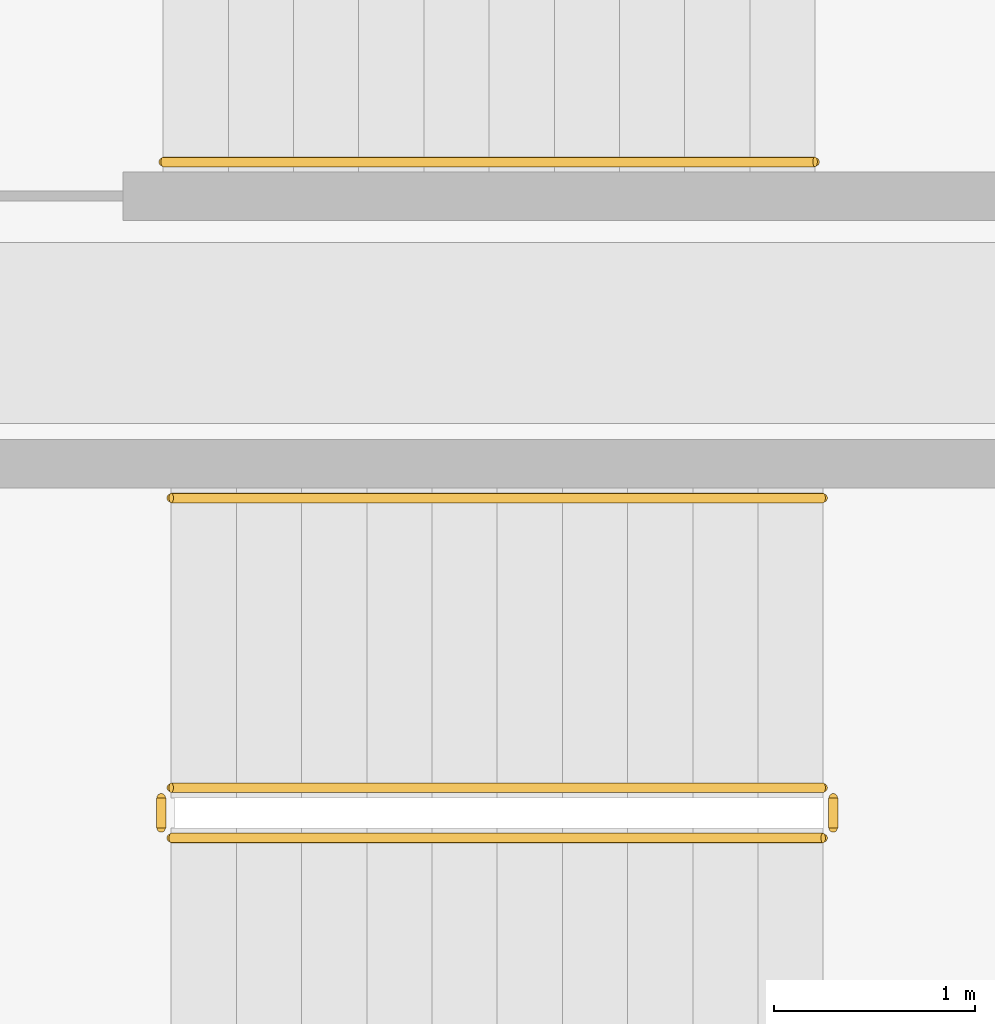
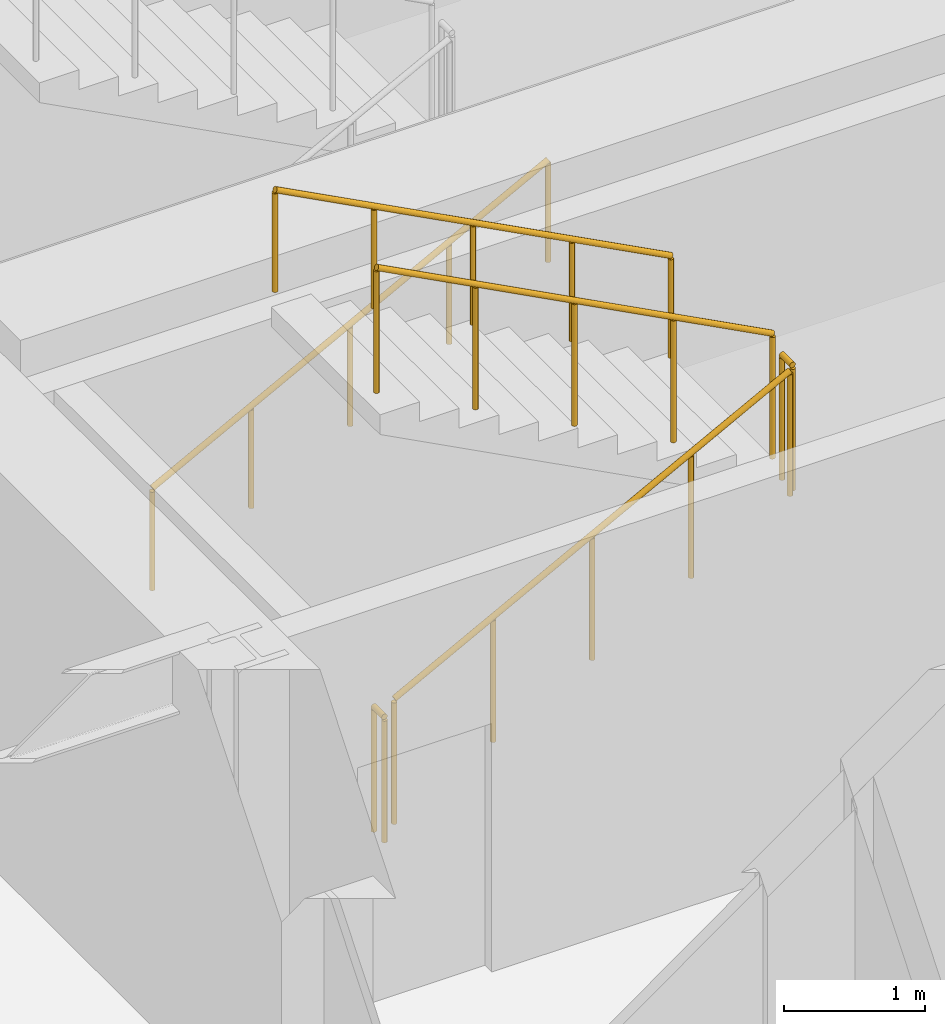
# One storey, part 11 of 13: 6 railings.
"""IFC4 building model written with IfcOpenShell, lengths in metres."""

from ifc_helpers import new_model, si_unit, direction, frame, origin, origin_2d, place, context, subcontext, project, spatial, circle, extrude, material, type_object, element, save


model = new_model("IFC4")

# Units and contexts
model_context = context("Model", 3, precision=1e-05, world=origin(), true_north=direction((0.0, 1.0)))
body_context = subcontext(model_context, "Body", "Model", "MODEL_VIEW")
ifc_project = project(units=[si_unit("LENGTHUNIT", "METRE"), si_unit("AREAUNIT", "SQUARE_METRE"), si_unit("VOLUMEUNIT", "CUBIC_METRE"), si_unit("PLANEANGLEUNIT", "RADIAN"), si_unit("MASSUNIT", "GRAM", prefix="KILO")], contexts=[model_context])

# Site, building, storey
site_placement = place(None, origin())
site = spatial("IfcSite", under=ifc_project, at=site_placement, CompositionType="ELEMENT")
building_placement = place(site_placement, origin())
building = spatial("IfcBuilding", under=site, at=building_placement, Name="Kolvaren Arena Tower", CompositionType="ELEMENT")
storey_placement = place(building_placement, frame((0.0, 0.0, 145.75)))
storey = spatial("IfcBuildingStorey", under=building, at=storey_placement, Name="L34", CompositionType="ELEMENT", Elevation=145.75)

# Railings
ifc_material_1 = material(Name="Painted galvanized steel", Category="steel")
railing_type_1 = type_object("IfcRailingType", Name="GUARD-ST-110", PredefinedType="GUARDRAIL", material=ifc_material_1)
railing_1_placement = place(storey_placement, frame((52.719970703125, 31.639892578125, 0.17041015625)))
element("IfcRailing", 1, at=railing_1_placement, inside=storey, type_object=railing_type_1, Name="L34 ST-E1 stair guard 1", PredefinedType="GUARDRAIL", context=body_context, shape_type="SweptSolid", body=[
    extrude(circle(Radius=0.02392578125, at=origin_2d()), frame((0.0, 0.0, 1.076171875), z_axis=(0.884993431791, 0.0, 0.465603506952), x_axis=(0.0, 1.0, 0.0)), (0.0, 0.0, 1.0), 3.6611328125),
    extrude(circle(Radius=0.02099609375, at=origin_2d()), origin(), (0.0, 0.0, 1.0), 1.052001953125),
    extrude(circle(Radius=0.02099609375, at=origin_2d()), frame((0.81005859375, 0.0, 0.42626953125)), (0.0, 0.0, 1.0), 1.052001953125),
    extrude(circle(Radius=0.02099609375, at=origin_2d()), frame((1.6201171875, 0.0, 0.852294921875)), (0.0, 0.0, 1.0), 1.052001953125),
    extrude(circle(Radius=0.02099609375, at=origin_2d()), frame((2.429931640625, 0.0, 1.2783203125)), (0.0, 0.0, 1.0), 1.052001953125),
    extrude(circle(Radius=0.02099609375, at=origin_2d()), frame((3.239990234375, 0.0, 1.70458984375)), (0.0, 0.0, 1.0), 1.052001953125),
])
railing_2_placement = place(storey_placement, frame((56.010009765625, 31.68994140625, 1.875)))
element("IfcRailing", 2, at=railing_2_placement, inside=storey, type_object=railing_type_1, Name="L34 ST-E1 stair guard 2", PredefinedType="GUARDRAIL", context=body_context, shape_type="SweptSolid", body=[
    extrude(circle(Radius=0.02392578125, at=origin_2d()), frame((0.0, 0.0, 1.076171875), z_axis=(0.0, 1.0, 0.0), x_axis=(-1.0, 0.0, 0.0)), (0.0, 0.0, 1.0), 0.150146484375),
    extrude(circle(Radius=0.02099609375, at=origin_2d()), origin(), (0.0, 0.0, 1.0), 1.052001953125),
    extrude(circle(Radius=0.02099609375, at=origin_2d()), frame((0.0, 0.150146484375, 0.0)), (0.0, 0.0, 1.0), 1.052001953125),
])
railing_3_placement = place(storey_placement, frame((55.9599609375, 31.889892578125, 2.04541015625)))
element("IfcRailing", 3, at=railing_3_placement, inside=storey, type_object=railing_type_1, Name="L34 ST-E1 stair guard 3", PredefinedType="GUARDRAIL", context=body_context, shape_type="SweptSolid", body=[
    extrude(circle(Radius=0.02392578125, at=origin_2d()), frame((0.0, 0.0, 1.076171875), z_axis=(-0.884993431791, 0.0, 0.465603506952), x_axis=(0.0, -1.0, 0.0)), (0.0, 0.0, 1.0), 3.6611328125),
    extrude(circle(Radius=0.02099609375, at=origin_2d()), origin(), (0.0, 0.0, 1.0), 1.052001953125),
    extrude(circle(Radius=0.02099609375, at=origin_2d()), frame((-0.81005859375, 0.0, 0.42626953125)), (0.0, 0.0, 1.0), 1.052001953125),
    extrude(circle(Radius=0.02099609375, at=origin_2d()), frame((-1.6201171875, 0.0, 0.852294921875)), (0.0, 0.0, 1.0), 1.052001953125),
    extrude(circle(Radius=0.02099609375, at=origin_2d()), frame((-2.429931640625, 0.0, 1.2783203125)), (0.0, 0.0, 1.0), 1.052001953125),
    extrude(circle(Radius=0.02099609375, at=origin_2d()), frame((-3.239990234375, 0.0, 1.70458984375)), (0.0, 0.0, 1.0), 1.052001953125),
])
railing_4_placement = place(storey_placement, frame((52.669921875, 31.68994140625, 0.0)))
element("IfcRailing", 4, at=railing_4_placement, inside=storey, type_object=railing_type_1, Name="L34 ST-E1 stair guard 4", PredefinedType="GUARDRAIL", context=body_context, shape_type="SweptSolid", body=[
    extrude(circle(Radius=0.02392578125, at=origin_2d()), frame((0.0, 0.0, 1.076171875), z_axis=(0.0, 1.0, 0.0), x_axis=(-1.0, 0.0, 0.0)), (0.0, 0.0, 1.0), 0.150146484375),
    extrude(circle(Radius=0.02099609375, at=origin_2d()), origin(), (0.0, 0.0, 1.0), 1.052001953125),
    extrude(circle(Radius=0.02099609375, at=origin_2d()), frame((0.0, 0.150146484375, 0.0)), (0.0, 0.0, 1.0), 1.052001953125),
])
ifc_material_2 = material(Name="Brushed stainless steel handrail", Category="steel")
railing_type_2 = type_object("IfcRailingType", Name="HRAIL-900", PredefinedType="HANDRAIL", material=ifc_material_2)
railing_5_placement = place(storey_placement, frame((55.9599609375, 33.330078125, 2.04541015625)))
element("IfcRailing", 5, at=railing_5_placement, inside=storey, type_object=railing_type_2, Name="L34 ST-E1 stair handrail 2", PredefinedType="HANDRAIL", context=body_context, shape_type="SweptSolid", body=[
    extrude(circle(Radius=0.02392578125, at=origin_2d()), frame((0.0, 0.0, 0.8759765625), z_axis=(-0.884993431791, 0.0, 0.465603506952), x_axis=(0.0, -1.0, 0.0)), (0.0, 0.0, 1.0), 3.6611328125),
    extrude(circle(Radius=0.02099609375, at=origin_2d()), origin(), (0.0, 0.0, 1.0), 0.851806640625),
    extrude(circle(Radius=0.02099609375, at=origin_2d()), frame((-0.81005859375, 0.0, 0.42626953125)), (0.0, 0.0, 1.0), 0.851806640625),
    extrude(circle(Radius=0.02099609375, at=origin_2d()), frame((-1.6201171875, 0.0, 0.852294921875)), (0.0, 0.0, 1.0), 0.851806640625),
    extrude(circle(Radius=0.02099609375, at=origin_2d()), frame((-2.429931640625, 0.0, 1.2783203125)), (0.0, 0.0, 1.0), 0.851806640625),
    extrude(circle(Radius=0.02099609375, at=origin_2d()), frame((-3.239990234375, 0.0, 1.70458984375)), (0.0, 0.0, 1.0), 0.851806640625),
])
railing_6_placement = place(storey_placement, frame((52.679931640625, 35.0, 0.17041015625)))
element("IfcRailing", 6, at=railing_6_placement, inside=storey, type_object=railing_type_2, Name="L34 ST-E2 stair handrail 1", PredefinedType="HANDRAIL", context=body_context, shape_type="SweptSolid", body=[
    extrude(circle(Radius=0.02392578125, at=origin_2d()), frame((0.0, 0.0, 0.8759765625), z_axis=(0.884993431791, 0.0, 0.465603506952), x_axis=(0.0, 1.0, 0.0)), (0.0, 0.0, 1.0), 3.6611328125),
    extrude(circle(Radius=0.02099609375, at=origin_2d()), origin(), (0.0, 0.0, 1.0), 0.851806640625),
    extrude(circle(Radius=0.02099609375, at=origin_2d()), frame((0.81005859375, 0.0, 0.42626953125)), (0.0, 0.0, 1.0), 0.851806640625),
    extrude(circle(Radius=0.02099609375, at=origin_2d()), frame((1.6201171875, 0.0, 0.852294921875)), (0.0, 0.0, 1.0), 0.851806640625),
    extrude(circle(Radius=0.02099609375, at=origin_2d()), frame((2.429931640625, 0.0, 1.2783203125)), (0.0, 0.0, 1.0), 0.851806640625),
    extrude(circle(Radius=0.02099609375, at=origin_2d()), frame((3.239990234375, 0.0, 1.70458984375)), (0.0, 0.0, 1.0), 0.851806640625),
])

save(model, "model.ifc")
